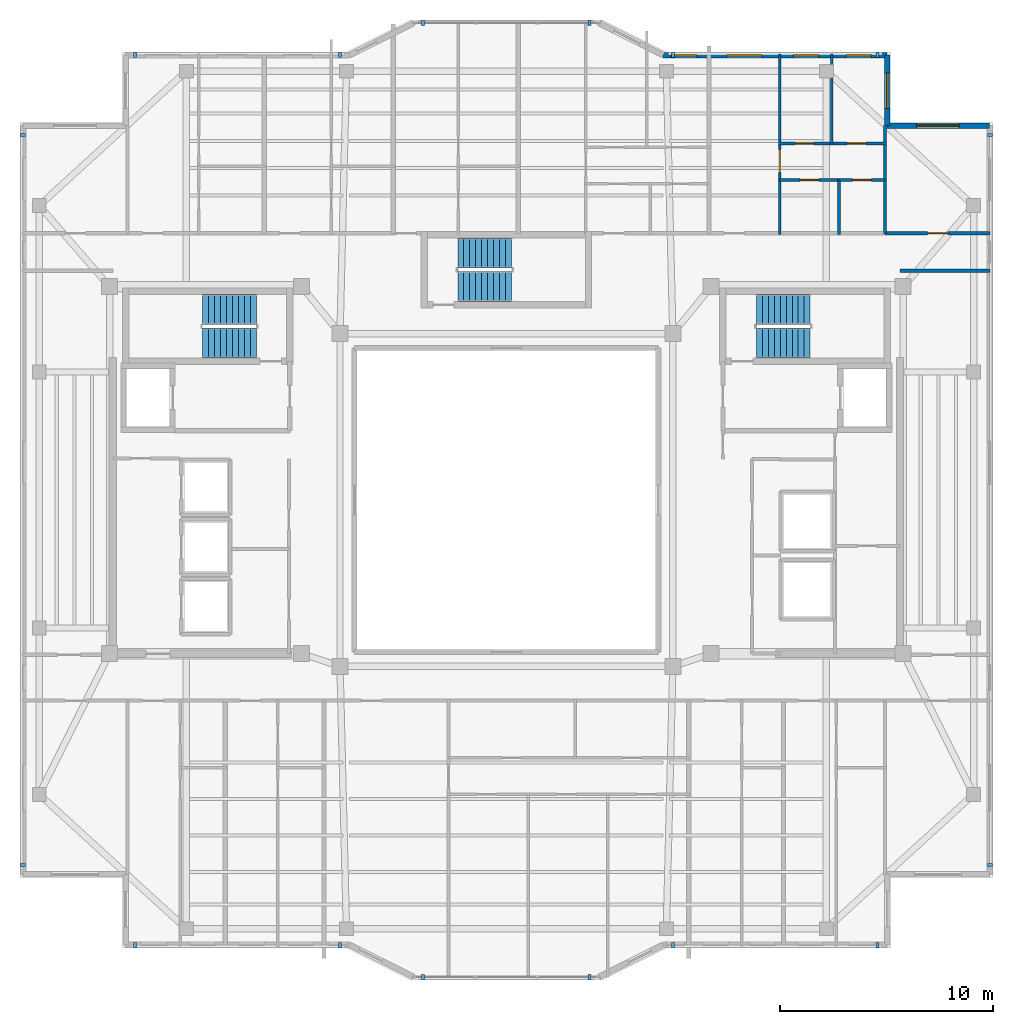
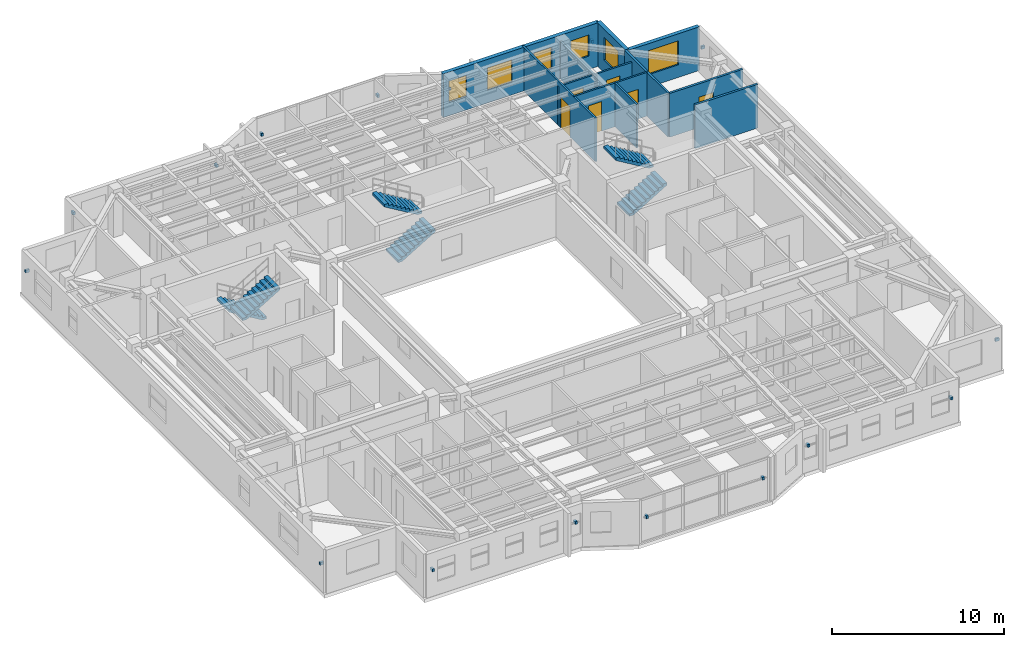
# One storey, part 11 of 14: 16 discrete accessories, 12 walls, 6 doors, 6 stair flights, 6 windows, 12 openings, 3 elements without a shape of their own.
"""IFC4 building model written with IfcOpenShell, lengths in metres."""

from ifc_helpers import new_model, si_unit, direction, frame, frame_2d, origin, origin_2d, place, context, subcontext, project, spatial, polyline, rectangle, outline, extrude, material, layer, layer_set, type_object, element, fill, aggregate, save


model = new_model("IFC4")

# Units and contexts
model_context = context("Model", 3, precision=1e-05, world=origin(), true_north=direction((0.0, 1.0)))
body_context = subcontext(model_context, "Body", "Model", "MODEL_VIEW")
ifc_project = project(units=[si_unit("LENGTHUNIT", "METRE"), si_unit("AREAUNIT", "SQUARE_METRE"), si_unit("VOLUMEUNIT", "CUBIC_METRE"), si_unit("PLANEANGLEUNIT", "RADIAN"), si_unit("MASSUNIT", "GRAM", prefix="KILO")], contexts=[model_context])

# Site, building, storey
site_placement = place(None, origin())
site = spatial("IfcSite", under=ifc_project, at=site_placement, CompositionType="ELEMENT")
building_placement = place(site_placement, origin())
building = spatial("IfcBuilding", under=site, at=building_placement, Name="Tarnavaz Court Tower", CompositionType="ELEMENT")
storey_placement = place(building_placement, frame((0.0, 0.0, 261.60009765625)))
storey = spatial("IfcBuildingStorey", under=building, at=storey_placement, Name="L71", CompositionType="ELEMENT", Elevation=261.60009765625)

# Wall, openings, windows
ifc_material_1 = material(Name="Precast Concrete C40/50", Category="concrete")
ifc_layer_1 = layer(ifc_material_1, 0.260009765625)
ifc_layer_set_1 = layer_set([ifc_layer_1], Name="Precast Concrete C40/50")
wall_type_1 = type_object("IfcWallType", Name="WL-EXT-260", PredefinedType="SOLIDWALL", material=ifc_layer_set_1)
wall_1_placement = place(storey_placement, frame((7.35009765625, 20.85009765625, 0.0), z_axis=(0.0, 0.0, 1.0), x_axis=(1.0, 0.0, 0.0)))
wall_1 = element("IfcWall", 1, at=wall_1_placement, inside=storey, type_object=wall_type_1, Name="L71 Exterior Terracotta Facade Wall 09", PredefinedType="SOLIDWALL", context=body_context, shape_type="SweptSolid", body=[
    extrude(rectangle(XDim=10.5, YDim=0.260009765625, at=frame_2d((5.25, 0.0))), origin(), (0.0, 0.0, 1.0), 3.099853515625),
])
opening_1_placement = place(wall_1_placement, frame((0.375, 0.0, 0.949951171875)))
opening_1 = element("IfcOpeningElement", 2, at=opening_1_placement, cuts=wall_1, Name="Opening W05", PredefinedType="OPENING", context=body_context, shape_type="SweptSolid", body=[
    extrude(rectangle(XDim=1.199951171875, YDim=1.5, at=frame_2d((0.60009765625, 0.75))), frame((0.0, 0.139892578125, 0.0), z_axis=(0.0, -1.0, 0.0), x_axis=(1.0, 0.0, 0.0)), (0.0, 0.0, 1.0), 0.280029296875),
])
opening_2_placement = place(wall_1_placement, frame((2.97509765625, 0.0, 0.89990234375)))
opening_2 = element("IfcOpeningElement", 3, at=opening_2_placement, cuts=wall_1, Name="Opening W02", PredefinedType="OPENING", context=body_context, shape_type="SweptSolid", body=[
    extrude(rectangle(XDim=1.64990234375, YDim=1.60009765625, at=frame_2d((0.824951171875, 0.800048828125))), frame((0.0, 0.139892578125, 0.0), z_axis=(0.0, -1.0, 0.0), x_axis=(1.0, 0.0, 0.0)), (0.0, 0.0, 1.0), 0.280029296875),
])
opening_3_placement = place(wall_1_placement, frame((6.10009765625, 0.0, 0.949951171875)))
opening_3 = element("IfcOpeningElement", 4, at=opening_3_placement, cuts=wall_1, Name="Opening W05", PredefinedType="OPENING", context=body_context, shape_type="SweptSolid", body=[
    extrude(rectangle(XDim=1.199951171875, YDim=1.5, at=frame_2d((0.60009765625, 0.75))), frame((0.0, 0.139892578125, 0.0), z_axis=(0.0, -1.0, 0.0), x_axis=(1.0, 0.0, 0.0)), (0.0, 0.0, 1.0), 0.280029296875),
])
opening_4_placement = place(wall_1_placement, frame((8.574951171875, 0.0, 0.949951171875)))
opening_4 = element("IfcOpeningElement", 5, at=opening_4_placement, cuts=wall_1, Name="Opening W05", PredefinedType="OPENING", context=body_context, shape_type="SweptSolid", body=[
    extrude(rectangle(XDim=1.199951171875, YDim=1.5, at=frame_2d((0.60009765625, 0.75))), frame((0.0, 0.139892578125, 0.0), z_axis=(0.0, -1.0, 0.0), x_axis=(1.0, 0.0, 0.0)), (0.0, 0.0, 1.0), 0.280029296875),
])
ifc_material_2 = material(Name="Double-Glazed Solar Low-E Glass", Category="glass")
window_type_1 = type_object("IfcWindowType", Name="WN-APT-1200", PartitioningType="SINGLE_PANEL", PredefinedType="WINDOW", material=ifc_material_2)
window_1_placement = place(opening_1_placement, origin())
window_1 = element("IfcWindow", 6, at=window_1_placement, inside=storey, type_object=window_type_1, Name="L71 Flat 04 Bedroom 2 Window", OverallHeight=1.5, OverallWidth=1.199951171875, PartitioningType="SINGLE_PANEL", PredefinedType="WINDOW", context=body_context, shape_type="SweptSolid", body=[
    extrude(rectangle(XDim=1.199951171875, YDim=1.5, at=frame_2d((0.60009765625, 0.75))), frame((0.0, 0.030029296875, 0.0), z_axis=(0.0, -1.0, 0.0), x_axis=(1.0, 0.0, 0.0)), (0.0, 0.0, 1.0), 0.06005859375),
])
fill(opening_1, window_1)
window_2_placement = place(opening_3_placement, origin())
window_2 = element("IfcWindow", 7, at=window_2_placement, inside=storey, type_object=window_type_1, Name="L71 Flat 05 Principal Bedroom Window", OverallHeight=1.5, OverallWidth=1.199951171875, PartitioningType="SINGLE_PANEL", PredefinedType="WINDOW", context=body_context, shape_type="SweptSolid", body=[
    extrude(rectangle(XDim=1.199951171875, YDim=1.5, at=frame_2d((0.60009765625, 0.75))), frame((0.0, 0.030029296875, 0.0), z_axis=(0.0, -1.0, 0.0), x_axis=(1.0, 0.0, 0.0)), (0.0, 0.0, 1.0), 0.06005859375),
])
fill(opening_3, window_2)
window_3_placement = place(opening_4_placement, origin())
window_3 = element("IfcWindow", 8, at=window_3_placement, inside=storey, type_object=window_type_1, Name="L71 Flat 05 Bedroom 2 Window", OverallHeight=1.5, OverallWidth=1.199951171875, PartitioningType="SINGLE_PANEL", PredefinedType="WINDOW", context=body_context, shape_type="SweptSolid", body=[
    extrude(rectangle(XDim=1.199951171875, YDim=1.5, at=frame_2d((0.60009765625, 0.75))), frame((0.0, 0.030029296875, 0.0), z_axis=(0.0, -1.0, 0.0), x_axis=(1.0, 0.0, 0.0)), (0.0, 0.0, 1.0), 0.06005859375),
])
fill(opening_4, window_3)
window_type_2 = type_object("IfcWindowType", Name="WN-APT-1650", PartitioningType="DOUBLE_PANEL_VERTICAL", PredefinedType="WINDOW", material=ifc_material_2)
window_4_placement = place(opening_2_placement, origin())
window_4 = element("IfcWindow", 9, at=window_4_placement, inside=storey, type_object=window_type_2, Name="L71 Flat 05 Living and Dining Room Window", OverallHeight=1.60009765625, OverallWidth=1.64990234375, PartitioningType="SINGLE_PANEL", PredefinedType="WINDOW", context=body_context, shape_type="SweptSolid", body=[
    extrude(rectangle(XDim=1.64990234375, YDim=1.60009765625, at=frame_2d((0.824951171875, 0.800048828125))), frame((0.0, 0.030029296875, 0.0), z_axis=(0.0, -1.0, 0.0), x_axis=(1.0, 0.0, 0.0)), (0.0, 0.0, 1.0), 0.06005859375),
])
fill(opening_2, window_4)

# Wall, opening, window
wall_2_placement = place(storey_placement, frame((17.85009765625, 20.85009765625, 0.0), z_axis=(0.0, 0.0, 1.0), x_axis=(0.0, -1.0, 0.0)))
wall_2 = element("IfcWall", 10, at=wall_2_placement, inside=storey, type_object=wall_type_1, Name="L71 Exterior Terracotta Facade Wall 10", PredefinedType="SOLIDWALL", context=body_context, shape_type="SweptSolid", body=[
    extrude(rectangle(XDim=3.300048828125, YDim=0.260009765625, at=frame_2d((1.64990234375, 0.0))), origin(), (0.0, 0.0, 1.0), 3.099853515625),
])
opening_5_placement = place(wall_2_placement, frame((0.842529296875, 0.0, 0.89990234375)))
opening_5 = element("IfcOpeningElement", 11, at=opening_5_placement, cuts=wall_2, Name="Opening W02", PredefinedType="OPENING", context=body_context, shape_type="SweptSolid", body=[
    extrude(rectangle(XDim=1.64990234375, YDim=1.60009765625, at=frame_2d((0.824951171875, 0.800048828125))), frame((0.0, 0.139892578125, 0.0), z_axis=(0.0, -1.0, 0.0), x_axis=(1.0, 0.0, 0.0)), (0.0, 0.0, 1.0), 0.280029296875),
])
window_5_placement = place(opening_5_placement, origin())
window_5 = element("IfcWindow", 12, at=window_5_placement, inside=storey, type_object=window_type_2, Name="L71 Flat 05 Bedroom 2 Window", OverallHeight=1.60009765625, OverallWidth=1.64990234375, PartitioningType="SINGLE_PANEL", PredefinedType="WINDOW", context=body_context, shape_type="SweptSolid", body=[
    extrude(rectangle(XDim=1.64990234375, YDim=1.60009765625, at=frame_2d((0.824951171875, 0.800048828125))), frame((0.0, 0.030029296875, 0.0), z_axis=(0.0, -1.0, 0.0), x_axis=(1.0, 0.0, 0.0)), (0.0, 0.0, 1.0), 0.06005859375),
])
fill(opening_5, window_5)

wall_3_placement = place(storey_placement, frame((17.85009765625, 17.550048828125, 0.0), z_axis=(0.0, 0.0, 1.0), x_axis=(1.0, 0.0, 0.0)))
wall_3 = element("IfcWall", 13, at=wall_3_placement, inside=storey, type_object=wall_type_1, Name="L71 Exterior Terracotta Facade Wall 11", PredefinedType="SOLIDWALL", context=body_context, shape_type="SweptSolid", body=[
    extrude(rectangle(XDim=4.7998046875, YDim=0.260009765625, at=frame_2d((2.39990234375, 0.0))), origin(), (0.0, 0.0, 1.0), 3.099853515625),
])
opening_6_placement = place(wall_3_placement, frame((1.374755859375, 0.0, 0.89990234375)))
opening_6 = element("IfcOpeningElement", 14, at=opening_6_placement, cuts=wall_3, Name="Opening W08", PredefinedType="OPENING", context=body_context, shape_type="SweptSolid", body=[
    extrude(rectangle(XDim=2.0, YDim=1.699951171875, at=frame_2d((1.0, 0.85009765625))), frame((0.0, 0.139892578125, 0.0), z_axis=(0.0, -1.0, 0.0), x_axis=(1.0, 0.0, 0.0)), (0.0, 0.0, 1.0), 0.280029296875),
])
window_type_3 = type_object("IfcWindowType", Name="WN-APT-2000", PartitioningType="DOUBLE_PANEL_VERTICAL", PredefinedType="WINDOW", material=ifc_material_2)
window_6_placement = place(opening_6_placement, origin())
window_6 = element("IfcWindow", 15, at=window_6_placement, inside=storey, type_object=window_type_3, Name="L71 North-East Corner Sunroom Study Window", OverallHeight=1.699951171875, OverallWidth=2.0, PartitioningType="SINGLE_PANEL", PredefinedType="WINDOW", context=body_context, shape_type="SweptSolid", body=[
    extrude(rectangle(XDim=2.0, YDim=1.699951171875, at=frame_2d((1.0, 0.85009765625))), frame((0.0, 0.030029296875, 0.0), z_axis=(0.0, -1.0, 0.0), x_axis=(1.0, 0.0, 0.0)), (0.0, 0.0, 1.0), 0.06005859375),
])
fill(opening_6, window_6)

# Wall
ifc_material_3 = material(Name="Gypsum Fire-Board on Acoustic Metal Stud", Category="masonry")
ifc_layer_2 = layer(ifc_material_3, 0.14990234375)
ifc_layer_set_2 = layer_set([ifc_layer_2], Name="Gypsum Fire-Board on Acoustic Metal Stud")
wall_type_2 = type_object("IfcWallType", Name="WL-FIRE-150", PredefinedType="PARTITIONING", material=ifc_layer_set_2)
wall_4_placement = place(storey_placement, frame((18.449951171875, 10.75, 0.0), z_axis=(0.0, 0.0, 1.0), x_axis=(1.0, 0.0, 0.0)))
element("IfcWall", 16, at=wall_4_placement, inside=storey, type_object=wall_type_2, Name="L71 Interior Partition 116", PredefinedType="PARTITIONING", context=body_context, shape_type="SweptSolid", body=[
    extrude(rectangle(XDim=4.22998046875, YDim=0.14990234375, at=frame_2d((2.114990234375, 0.0))), origin(), (0.0, 0.0, 1.0), 3.099853515625),
])

# Wall, opening, door
wall_5_placement = place(storey_placement, frame((17.75, 12.5, 0.0), z_axis=(0.0, 0.0, 1.0), x_axis=(1.0, 0.0, 0.0)))
wall_5 = element("IfcWall", 17, at=wall_5_placement, inside=storey, type_object=wall_type_2, Name="L71 Interior Partition 122", PredefinedType="PARTITIONING", context=body_context, shape_type="SweptSolid", body=[
    extrude(rectangle(XDim=4.929931640625, YDim=0.14990234375, at=frame_2d((2.46484375, 0.0))), origin(), (0.0, 0.0, 1.0), 3.099853515625),
])
opening_7_placement = place(wall_5_placement, frame((1.989990234375, 0.0, 0.0)))
opening_7 = element("IfcOpeningElement", 18, at=opening_7_placement, cuts=wall_5, Name="Opening D13", PredefinedType="OPENING", context=body_context, shape_type="SweptSolid", body=[
    extrude(rectangle(XDim=0.949951171875, YDim=2.14990234375, at=frame_2d((0.47509765625, 1.074951171875))), frame((0.0, 0.0849609375, 0.0), z_axis=(0.0, -1.0, 0.0), x_axis=(1.0, 0.0, 0.0)), (0.0, 0.0, 1.0), 0.169921875),
])
ifc_material_4 = material(Name="Engineered Oak Timber", Category="wood")
door_type_1 = type_object("IfcDoorType", Name="DR-INT-950", OperationType="NOTDEFINED", PredefinedType="DOOR", material=ifc_material_4)
door_1_placement = place(opening_7_placement, origin())
door_1 = element("IfcDoor", 19, at=door_1_placement, inside=storey, type_object=door_type_1, Name="L71 NE Sunroom Door", OperationType="SINGLE_SWING_LEFT", OverallHeight=2.14990234375, OverallWidth=0.949951171875, PredefinedType="DOOR", context=body_context, shape_type="SweptSolid", body=[
    extrude(rectangle(XDim=0.949951171875, YDim=2.14990234375, at=frame_2d((0.47509765625, 1.074951171875))), frame((0.0, 0.02490234375, 0.0), z_axis=(0.0, -1.0, 0.0), x_axis=(1.0, 0.0, 0.0)), (0.0, 0.0, 1.0), 0.050048828125),
])
fill(opening_7, door_1)

ifc_material_5 = material(Name="Moisture-Resistant Gypsum Board Partition", Category="masonry")
ifc_layer_3 = layer(ifc_material_5, 0.1201171875)
ifc_layer_set_3 = layer_set([ifc_layer_3], Name="Moisture-Resistant Gypsum Board Partition")
wall_type_3 = type_object("IfcWallType", Name="WL-PART-120", PredefinedType="PARTITIONING", material=ifc_layer_set_3)
wall_6_placement = place(storey_placement, frame((12.81201171875, 12.43994140625, 0.0), z_axis=(0.0, 0.0, 1.0), x_axis=(0.0, 1.0, 0.0)))
wall_6 = element("IfcWall", 20, at=wall_6_placement, inside=storey, type_object=wall_type_3, Name="L71 Interior Partition 083", PredefinedType="PARTITIONING", context=body_context, shape_type="SweptSolid", body=[
    extrude(rectangle(XDim=8.4599609375, YDim=0.1201171875, at=frame_2d((4.22998046875, 0.0))), origin(), (0.0, 0.0, 1.0), 3.099853515625),
])
opening_8_placement = place(wall_6_placement, frame((2.905029296875, 0.0, 0.0)))
opening_8 = element("IfcOpeningElement", 21, at=opening_8_placement, cuts=wall_6, Name="Opening D12", PredefinedType="OPENING", context=body_context, shape_type="SweptSolid", body=[
    extrude(rectangle(XDim=1.080078125, YDim=2.14990234375, at=frame_2d((0.5400390625, 1.074951171875))), frame((0.0, 0.070068359375, 0.0), z_axis=(0.0, -1.0, 0.0), x_axis=(1.0, 0.0, 0.0)), (0.0, 0.0, 1.0), 0.14013671875),
])
door_type_2 = type_object("IfcDoorType", Name="DR-INT-1100", OperationType="NOTDEFINED", PredefinedType="DOOR", material=ifc_material_4)
door_2_placement = place(opening_8_placement, origin())
door_2 = element("IfcDoor", 22, at=door_2_placement, inside=storey, type_object=door_type_2, Name="L71 Flat 05 Foyer Door", OperationType="SINGLE_SWING_RIGHT", OverallHeight=2.14990234375, OverallWidth=1.080078125, PredefinedType="DOOR", context=body_context, shape_type="SweptSolid", body=[
    extrude(rectangle(XDim=1.080078125, YDim=2.14990234375, at=frame_2d((0.5400390625, 1.074951171875))), frame((0.0, 0.02490234375, 0.0), z_axis=(0.0, -1.0, 0.0), x_axis=(1.0, 0.0, 0.0)), (0.0, 0.0, 1.0), 0.050048828125),
])
fill(opening_8, door_2)

wall_7_placement = place(storey_placement, frame((12.81201171875, 15.0, 0.0), z_axis=(0.0, 0.0, 1.0), x_axis=(1.0, 0.0, 0.0)))
wall_7 = element("IfcWall", 23, at=wall_7_placement, inside=storey, type_object=wall_type_3, Name="L71 Interior Partition 084", PredefinedType="PARTITIONING", context=body_context, shape_type="SweptSolid", body=[
    extrude(rectangle(XDim=2.780029296875, YDim=0.1201171875, at=frame_2d((1.39013671875, 0.0))), origin(), (0.0, 0.0, 1.0), 3.099853515625),
])
opening_9_placement = place(wall_7_placement, frame((0.949951171875, 0.0, 0.0)))
opening_9 = element("IfcOpeningElement", 24, at=opening_9_placement, cuts=wall_7, Name="Opening D14", PredefinedType="OPENING", context=body_context, shape_type="SweptSolid", body=[
    extrude(rectangle(XDim=0.8798828125, YDim=2.10009765625, at=frame_2d((0.43994140625, 1.050048828125))), frame((0.0, 0.070068359375, 0.0), z_axis=(0.0, -1.0, 0.0), x_axis=(1.0, 0.0, 0.0)), (0.0, 0.0, 1.0), 0.14013671875),
])
door_type_3 = type_object("IfcDoorType", Name="DR-INT-900", OperationType="NOTDEFINED", PredefinedType="DOOR", material=ifc_material_4)
door_3_placement = place(opening_9_placement, origin())
door_3 = element("IfcDoor", 25, at=door_3_placement, inside=storey, type_object=door_type_3, Name="L71 Flat 05 Kitchen Door", OperationType="SINGLE_SWING_LEFT", OverallHeight=2.10009765625, OverallWidth=0.8798828125, PredefinedType="DOOR", context=body_context, shape_type="SweptSolid", body=[
    extrude(rectangle(XDim=0.8798828125, YDim=2.10009765625, at=frame_2d((0.43994140625, 1.050048828125))), frame((0.0, 0.02490234375, 0.0), z_axis=(0.0, -1.0, 0.0), x_axis=(1.0, 0.0, 0.0)), (0.0, 0.0, 1.0), 0.050048828125),
])
fill(opening_9, door_3)

wall_8_placement = place(storey_placement, frame((15.592041015625, 15.0, 0.0), z_axis=(0.0, 0.0, 1.0), x_axis=(1.0, 0.0, 0.0)))
wall_8 = element("IfcWall", 26, at=wall_8_placement, inside=storey, type_object=wall_type_3, Name="L71 Interior Partition 085", PredefinedType="PARTITIONING", context=body_context, shape_type="SweptSolid", body=[
    extrude(rectangle(XDim=2.157958984375, YDim=0.1201171875, at=frame_2d((1.0791015625, 0.0))), origin(), (0.0, 0.0, 1.0), 3.099853515625),
])
opening_10_placement = place(wall_8_placement, frame((0.638916015625, 0.0, 0.0)))
opening_10 = element("IfcOpeningElement", 27, at=opening_10_placement, cuts=wall_8, Name="Opening D14", PredefinedType="OPENING", context=body_context, shape_type="SweptSolid", body=[
    extrude(rectangle(XDim=0.8798828125, YDim=2.10009765625, at=frame_2d((0.43994140625, 1.050048828125))), frame((0.0, 0.070068359375, 0.0), z_axis=(0.0, -1.0, 0.0), x_axis=(1.0, 0.0, 0.0)), (0.0, 0.0, 1.0), 0.14013671875),
])
door_4_placement = place(opening_10_placement, origin())
door_4 = element("IfcDoor", 28, at=door_4_placement, inside=storey, type_object=door_type_3, Name="L71 Flat 05 Bathroom Door", OperationType="SINGLE_SWING_RIGHT", OverallHeight=2.10009765625, OverallWidth=0.8798828125, PredefinedType="DOOR", context=body_context, shape_type="SweptSolid", body=[
    extrude(rectangle(XDim=0.8798828125, YDim=2.10009765625, at=frame_2d((0.43994140625, 1.050048828125))), frame((0.0, 0.02490234375, 0.0), z_axis=(0.0, -1.0, 0.0), x_axis=(1.0, 0.0, 0.0)), (0.0, 0.0, 1.0), 0.050048828125),
])
fill(opening_10, door_4)

# Wall, openings, doors
wall_9_placement = place(storey_placement, frame((12.751953125, 16.7099609375, 0.0), z_axis=(0.0, 0.0, 1.0), x_axis=(1.0, 0.0, 0.0)))
wall_9 = element("IfcWall", 29, at=wall_9_placement, inside=storey, type_object=wall_type_3, Name="L71 Interior Partition 086", PredefinedType="PARTITIONING", context=body_context, shape_type="SweptSolid", body=[
    extrude(rectangle(XDim=5.05810546875, YDim=0.1201171875, at=frame_2d((2.529052734375, 0.0))), origin(), (0.0, 0.0, 1.0), 2.784912109375),
])
opening_11_placement = place(wall_9_placement, frame((0.780029296875, 0.0, 0.0)))
opening_11 = element("IfcOpeningElement", 30, at=opening_11_placement, cuts=wall_9, Name="Opening D14", PredefinedType="OPENING", context=body_context, shape_type="SweptSolid", body=[
    extrude(rectangle(XDim=0.8798828125, YDim=2.10009765625, at=frame_2d((0.43994140625, 1.050048828125))), frame((0.0, 0.070068359375, 0.0), z_axis=(0.0, -1.0, 0.0), x_axis=(1.0, 0.0, 0.0)), (0.0, 0.0, 1.0), 0.14013671875),
])
opening_12_placement = place(wall_9_placement, frame((3.218994140625, 0.0, 0.0)))
opening_12 = element("IfcOpeningElement", 31, at=opening_12_placement, cuts=wall_9, Name="Opening D14", PredefinedType="OPENING", context=body_context, shape_type="SweptSolid", body=[
    extrude(rectangle(XDim=0.8798828125, YDim=2.10009765625, at=frame_2d((0.43994140625, 1.050048828125))), frame((0.0, 0.070068359375, 0.0), z_axis=(0.0, -1.0, 0.0), x_axis=(1.0, 0.0, 0.0)), (0.0, 0.0, 1.0), 0.14013671875),
])
door_5_placement = place(opening_11_placement, origin())
door_5 = element("IfcDoor", 32, at=door_5_placement, inside=storey, type_object=door_type_3, Name="L71 Flat 05 Bedroom 1 Door", OperationType="SINGLE_SWING_LEFT", OverallHeight=2.10009765625, OverallWidth=0.8798828125, PredefinedType="DOOR", context=body_context, shape_type="SweptSolid", body=[
    extrude(rectangle(XDim=0.8798828125, YDim=2.10009765625, at=frame_2d((0.43994140625, 1.050048828125))), frame((0.0, 0.02490234375, 0.0), z_axis=(0.0, -1.0, 0.0), x_axis=(1.0, 0.0, 0.0)), (0.0, 0.0, 1.0), 0.050048828125),
])
fill(opening_11, door_5)
door_6_placement = place(opening_12_placement, origin())
door_6 = element("IfcDoor", 33, at=door_6_placement, inside=storey, type_object=door_type_3, Name="L71 Flat 05 Bedroom 2 Door", OperationType="SINGLE_SWING_RIGHT", OverallHeight=2.10009765625, OverallWidth=0.8798828125, PredefinedType="DOOR", context=body_context, shape_type="SweptSolid", body=[
    extrude(rectangle(XDim=0.8798828125, YDim=2.10009765625, at=frame_2d((0.43994140625, 1.050048828125))), frame((0.0, 0.02490234375, 0.0), z_axis=(0.0, -1.0, 0.0), x_axis=(1.0, 0.0, 0.0)), (0.0, 0.0, 1.0), 0.050048828125),
])
fill(opening_12, door_6)

# Walls
wall_10_placement = place(storey_placement, frame((15.592041015625, 12.43994140625, 0.0), z_axis=(0.0, 0.0, 1.0), x_axis=(0.0, 1.0, 0.0)))
element("IfcWall", 34, at=wall_10_placement, inside=storey, type_object=wall_type_3, Name="L71 Interior Partition 087", PredefinedType="PARTITIONING", context=body_context, shape_type="SweptSolid", body=[
    extrude(rectangle(XDim=2.6201171875, YDim=0.1201171875, at=frame_2d((1.31005859375, 0.0))), origin(), (0.0, 0.0, 1.0), 3.099853515625),
])
wall_11_placement = place(storey_placement, frame((15.2509765625, 16.64990234375, 0.0), z_axis=(0.0, 0.0, 1.0), x_axis=(0.0, 1.0, 0.0)))
element("IfcWall", 35, at=wall_11_placement, inside=storey, type_object=wall_type_3, Name="L71 Interior Partition 088", PredefinedType="PARTITIONING", context=body_context, shape_type="SweptSolid", body=[
    extrude(rectangle(XDim=4.25, YDim=0.1201171875, at=frame_2d((2.125, 0.0))), origin(), (0.0, 0.0, 1.0), 2.684814453125),
])
ifc_material_6 = material(Name="Gypsum Plasterboard Acoustic Partition", Category="masonry")
ifc_layer_4 = layer(ifc_material_6, 0.139892578125)
ifc_layer_set_4 = layer_set([ifc_layer_4], Name="Gypsum Plasterboard Acoustic Partition")
wall_type_4 = type_object("IfcWallType", Name="WL-PART-150", PredefinedType="PARTITIONING", material=ifc_layer_set_4)
wall_12_placement = place(storey_placement, frame((17.75, 12.5, 0.0), z_axis=(0.0, 0.0, 1.0), x_axis=(0.0, 1.0, 0.0)))
element("IfcWall", 36, at=wall_12_placement, inside=storey, type_object=wall_type_4, Name="L71 Interior Partition 120", PredefinedType="PARTITIONING", context=body_context, shape_type="SweptSolid", body=[
    extrude(rectangle(XDim=5.050048828125, YDim=0.139892578125, at=frame_2d((2.52490234375, 0.0))), origin(), (0.0, 0.0, 1.0), 3.099853515625),
])

# Stair, stair flights
ifc_material_7 = material(Name="Concrete C40/50", Category="concrete")
stair_type = type_object("IfcStairType", Name="ST-TWR-20R", PredefinedType="HALF_TURN_STAIR", material=ifc_material_7)
stair_1_placement = place(storey_placement, origin())
stair_1 = element("IfcStair", 37, at=stair_1_placement, inside=storey, type_object=stair_type, Name="L71 West Core Pressurized Exit Stair ST-W1", PredefinedType="HALF_TURN_STAIR")
stair_flight_type = type_object("IfcStairFlightType", Name="SFL-RC-20R", PredefinedType="STRAIGHT", material=ifc_material_7)
stair_flight_1_placement = place(storey_placement, frame((-11.719970703125, 8.929931640625, 0.0), z_axis=(0.0, 0.0, 1.0), x_axis=(-1.0, 0.0, 0.0)))
stair_flight_1 = element("IfcStairFlight", 38, at=stair_flight_1_placement, type_object=stair_flight_type, Name="ST-W1 flight 1", NumberOfRisers=10, NumberOfTreads=9, PredefinedType="STRAIGHT", RiserHeight=0.1675, TreadLength=0.28, context=body_context, shape_type="SweptSolid", body=[
    extrude(outline(polyline([(0.0, 0.0), (0.0, 0.16748046875), (0.280029296875, 0.16748046875), (0.280029296875, 0.3349609375), (0.56005859375, 0.3349609375), (0.56005859375, 0.50244140625), (0.840087890625, 0.50244140625), (0.840087890625, 0.669921875), (1.1201171875, 0.669921875), (1.1201171875, 0.83740234375), (1.39990234375, 0.83740234375), (1.39990234375, 1.0048828125), (1.679931640625, 1.0048828125), (1.679931640625, 1.172607421875), (1.9599609375, 1.172607421875), (1.9599609375, 1.340087890625), (2.239990234375, 1.340087890625), (2.239990234375, 1.507568359375), (2.52001953125, 1.507568359375), (2.52001953125, 1.675048828125), (2.52001953125, 1.332763671875), (0.2919921875, 0.0), (0.0, 0.0)])), frame((0.0, 0.7099609375, 0.0), z_axis=(0.0, -1.0, 0.0), x_axis=(1.0, 0.0, 0.0)), (0.0, 0.0, 1.0), 1.419921875),
])
stair_flight_2_placement = place(storey_placement, frame((-14.239990234375, 7.360107421875, 1.6748046875), z_axis=(0.0, 0.0, 1.0), x_axis=(1.0, 0.0, 0.0)))
stair_flight_2 = element("IfcStairFlight", 39, at=stair_flight_2_placement, type_object=stair_flight_type, Name="ST-W1 flight 2", NumberOfRisers=10, NumberOfTreads=9, PredefinedType="STRAIGHT", RiserHeight=0.1675, TreadLength=0.28, context=body_context, shape_type="SweptSolid", body=[
    extrude(outline(polyline([(0.0, 0.0), (0.0, 0.16748046875), (0.280029296875, 0.16748046875), (0.280029296875, 0.3349609375), (0.56005859375, 0.3349609375), (0.56005859375, 0.50244140625), (0.840087890625, 0.50244140625), (0.840087890625, 0.669921875), (1.1201171875, 0.669921875), (1.1201171875, 0.83740234375), (1.39990234375, 0.83740234375), (1.39990234375, 1.0048828125), (1.679931640625, 1.0048828125), (1.679931640625, 1.172607421875), (1.9599609375, 1.172607421875), (1.9599609375, 1.340087890625), (2.239990234375, 1.340087890625), (2.239990234375, 1.507568359375), (2.52001953125, 1.507568359375), (2.52001953125, 1.675048828125), (2.52001953125, 1.332763671875), (0.2919921875, 0.0), (0.0, 0.0)])), frame((0.0, 0.7099609375, 0.0), z_axis=(0.0, -1.0, 0.0), x_axis=(1.0, 0.0, 0.0)), (0.0, 0.0, 1.0), 1.419921875),
])
aggregate(stair_1, [stair_flight_1, stair_flight_2])

stair_2_placement = place(storey_placement, origin())
stair_2 = element("IfcStair", 40, at=stair_2_placement, inside=storey, type_object=stair_type, Name="L71 East Core Pressurized Exit Stair ST-E1", PredefinedType="HALF_TURN_STAIR")
stair_flight_3_placement = place(storey_placement, frame((11.719970703125, 7.360107421875, 0.0), z_axis=(0.0, 0.0, 1.0), x_axis=(1.0, 0.0, 0.0)))
stair_flight_3 = element("IfcStairFlight", 41, at=stair_flight_3_placement, type_object=stair_flight_type, Name="ST-E1 flight 1", NumberOfRisers=10, NumberOfTreads=9, PredefinedType="STRAIGHT", RiserHeight=0.1675, TreadLength=0.28, context=body_context, shape_type="SweptSolid", body=[
    extrude(outline(polyline([(0.0, 0.0), (0.0, 0.16748046875), (0.280029296875, 0.16748046875), (0.280029296875, 0.3349609375), (0.56005859375, 0.3349609375), (0.56005859375, 0.50244140625), (0.840087890625, 0.50244140625), (0.840087890625, 0.669921875), (1.1201171875, 0.669921875), (1.1201171875, 0.83740234375), (1.39990234375, 0.83740234375), (1.39990234375, 1.0048828125), (1.679931640625, 1.0048828125), (1.679931640625, 1.172607421875), (1.9599609375, 1.172607421875), (1.9599609375, 1.340087890625), (2.239990234375, 1.340087890625), (2.239990234375, 1.507568359375), (2.52001953125, 1.507568359375), (2.52001953125, 1.675048828125), (2.52001953125, 1.332763671875), (0.2919921875, 0.0), (0.0, 0.0)])), frame((0.0, 0.7099609375, 0.0), z_axis=(0.0, -1.0, 0.0), x_axis=(1.0, 0.0, 0.0)), (0.0, 0.0, 1.0), 1.419921875),
])
stair_flight_4_placement = place(storey_placement, frame((14.239990234375, 8.929931640625, 1.6748046875), z_axis=(0.0, 0.0, 1.0), x_axis=(-1.0, 0.0, 0.0)))
stair_flight_4 = element("IfcStairFlight", 42, at=stair_flight_4_placement, type_object=stair_flight_type, Name="ST-E1 flight 2", NumberOfRisers=10, NumberOfTreads=9, PredefinedType="STRAIGHT", RiserHeight=0.1675, TreadLength=0.28, context=body_context, shape_type="SweptSolid", body=[
    extrude(outline(polyline([(0.0, 0.0), (0.0, 0.16748046875), (0.280029296875, 0.16748046875), (0.280029296875, 0.3349609375), (0.56005859375, 0.3349609375), (0.56005859375, 0.50244140625), (0.840087890625, 0.50244140625), (0.840087890625, 0.669921875), (1.1201171875, 0.669921875), (1.1201171875, 0.83740234375), (1.39990234375, 0.83740234375), (1.39990234375, 1.0048828125), (1.679931640625, 1.0048828125), (1.679931640625, 1.172607421875), (1.9599609375, 1.172607421875), (1.9599609375, 1.340087890625), (2.239990234375, 1.340087890625), (2.239990234375, 1.507568359375), (2.52001953125, 1.507568359375), (2.52001953125, 1.675048828125), (2.52001953125, 1.332763671875), (0.2919921875, 0.0), (0.0, 0.0)])), frame((0.0, 0.7099609375, 0.0), z_axis=(0.0, -1.0, 0.0), x_axis=(1.0, 0.0, 0.0)), (0.0, 0.0, 1.0), 1.419921875),
])
aggregate(stair_2, [stair_flight_3, stair_flight_4])

stair_3_placement = place(storey_placement, origin())
stair_3 = element("IfcStair", 43, at=stair_3_placement, inside=storey, type_object=stair_type, Name="L71 North Ring Pressurized Exit Stair ST-N1", PredefinedType="HALF_TURN_STAIR")
stair_flight_5_placement = place(storey_placement, frame((-2.280029296875, 10.010009765625, 0.0), z_axis=(0.0, 0.0, 1.0), x_axis=(1.0, 0.0, 0.0)))
stair_flight_5 = element("IfcStairFlight", 44, at=stair_flight_5_placement, type_object=stair_flight_type, Name="ST-N1 flight 1", NumberOfRisers=10, NumberOfTreads=9, PredefinedType="STRAIGHT", RiserHeight=0.1675, TreadLength=0.28, context=body_context, shape_type="SweptSolid", body=[
    extrude(outline(polyline([(0.0, 0.0), (0.0, 0.16748046875), (0.280029296875, 0.16748046875), (0.280029296875, 0.3349609375), (0.56005859375, 0.3349609375), (0.56005859375, 0.50244140625), (0.840087890625, 0.50244140625), (0.840087890625, 0.669921875), (1.1201171875, 0.669921875), (1.1201171875, 0.83740234375), (1.39990234375, 0.83740234375), (1.39990234375, 1.0048828125), (1.679931640625, 1.0048828125), (1.679931640625, 1.172607421875), (1.9599609375, 1.172607421875), (1.9599609375, 1.340087890625), (2.239990234375, 1.340087890625), (2.239990234375, 1.507568359375), (2.52001953125, 1.507568359375), (2.52001953125, 1.675048828125), (2.52001953125, 1.332763671875), (0.2919921875, 0.0), (0.0, 0.0)])), frame((0.0, 0.7099609375, 0.0), z_axis=(0.0, -1.0, 0.0), x_axis=(1.0, 0.0, 0.0)), (0.0, 0.0, 1.0), 1.419921875),
])
stair_flight_6_placement = place(storey_placement, frame((0.239990234375, 11.580078125, 1.6748046875), z_axis=(0.0, 0.0, 1.0), x_axis=(-1.0, 0.0, 0.0)))
stair_flight_6 = element("IfcStairFlight", 45, at=stair_flight_6_placement, type_object=stair_flight_type, Name="ST-N1 flight 2", NumberOfRisers=10, NumberOfTreads=9, PredefinedType="STRAIGHT", RiserHeight=0.1675, TreadLength=0.28, context=body_context, shape_type="SweptSolid", body=[
    extrude(outline(polyline([(0.0, 0.0), (0.0, 0.16748046875), (0.280029296875, 0.16748046875), (0.280029296875, 0.3349609375), (0.56005859375, 0.3349609375), (0.56005859375, 0.50244140625), (0.840087890625, 0.50244140625), (0.840087890625, 0.669921875), (1.1201171875, 0.669921875), (1.1201171875, 0.83740234375), (1.39990234375, 0.83740234375), (1.39990234375, 1.0048828125), (1.679931640625, 1.0048828125), (1.679931640625, 1.172607421875), (1.9599609375, 1.172607421875), (1.9599609375, 1.340087890625), (2.239990234375, 1.340087890625), (2.239990234375, 1.507568359375), (2.52001953125, 1.507568359375), (2.52001953125, 1.675048828125), (2.52001953125, 1.332763671875), (0.2919921875, 0.0), (0.0, 0.0)])), frame((0.0, 0.7099609375, 0.0), z_axis=(0.0, -1.0, 0.0), x_axis=(1.0, 0.0, 0.0)), (0.0, 0.0, 1.0), 1.419921875),
])
aggregate(stair_3, [stair_flight_5, stair_flight_6])

# Discrete accessories
ifc_material_8 = material(Name="Anodised Aluminium 6063-T6", Category="aluminium")
discrete_accessory_type = type_object("IfcDiscreteAccessoryType", Name="DA-BRKT-ALU", PredefinedType="BRACKET", material=ifc_material_8)
for number, where, z_axis, x_axis, name in (
    (46, (-22.669921875, -17.10009765625, 1.75), (0.0, 0.0, 1.0), (0.0, 1.0, 0.0), "L71 Baguette Outrigger Bracket FBG02-1"),
    (47, (-22.669921875, 17.10009765625, 1.75), (0.0, 0.0, 1.0), (0.0, 1.0, 0.0), "L71 Baguette Outrigger Bracket FBG02-2"),
    (48, (-17.39990234375, 20.8701171875, 1.75), (0.0, 0.0, 1.0), (1.0, 0.0, 0.0), "L71 Baguette Outrigger Bracket FBG05-1"),
    (49, (-7.800048828125, 20.8701171875, 1.75), (0.0, 0.0, 1.0), (1.0, 0.0, 0.0), "L71 Baguette Outrigger Bracket FBG05-2"),
    (50, (-3.89990234375, 22.3701171875, 1.69970703125), (0.0, 0.0, 1.0), (1.0, 0.0, 0.0), "L71 Baguette Outrigger Bracket PBG7-1"),
    (51, (3.89990234375, 22.3701171875, 1.69970703125), (0.0, 0.0, 1.0), (1.0, 0.0, 0.0), "L71 Baguette Outrigger Bracket PBG7-2"),
    (52, (7.800048828125, 20.8701171875, 1.75), (0.0, 0.0, 1.0), (1.0, 0.0, 0.0), "L71 Baguette Outrigger Bracket FBG09-1"),
    (53, (17.39990234375, 20.8701171875, 1.75), (0.0, 0.0, 1.0), (1.0, 0.0, 0.0), "L71 Baguette Outrigger Bracket FBG09-2"),
    (54, (22.669921875, 17.10009765625, 1.75), (0.0, 0.0, 1.0), (0.0, -1.0, 0.0), "L71 Baguette Outrigger Bracket FBG12-1"),
    (55, (22.669921875, -17.10009765625, 1.75), (0.0, 0.0, 1.0), (0.0, -1.0, 0.0), "L71 Baguette Outrigger Bracket FBG12-2"),
    (56, (17.39990234375, -20.8701171875, 1.75), (0.0, 0.0, 1.0), (-1.0, 0.0, 0.0), "L71 Baguette Outrigger Bracket FBG15-1"),
    (57, (7.800048828125, -20.8701171875, 1.75), (0.0, 0.0, 1.0), (-1.0, 0.0, 0.0), "L71 Baguette Outrigger Bracket FBG15-2"),
    (58, (3.89990234375, -22.3701171875, 1.69970703125), (0.0, 0.0, 1.0), (-1.0, 0.0, 0.0), "L71 Baguette Outrigger Bracket PBG17-1"),
    (59, (-3.89990234375, -22.3701171875, 1.69970703125), (0.0, 0.0, 1.0), (-1.0, 0.0, 0.0), "L71 Baguette Outrigger Bracket PBG17-2"),
    (60, (-7.800048828125, -20.8701171875, 1.75), (0.0, 0.0, 1.0), (-1.0, 0.0, 0.0), "L71 Baguette Outrigger Bracket FBG19-1"),
    (61, (-17.39990234375, -20.8701171875, 1.75), (0.0, 0.0, 1.0), (-1.0, 0.0, 0.0), "L71 Baguette Outrigger Bracket FBG19-2"),
):
    element("IfcDiscreteAccessory", number, at=place(storey_placement, frame(where, z_axis=z_axis, x_axis=x_axis)), inside=storey, type_object=discrete_accessory_type, Name=name, PredefinedType="BRACKET", context=body_context, shape_type="SweptSolid", body=[
        extrude(rectangle(XDim=0.139892578125, YDim=0.239990234375, at=origin_2d()), origin(), (0.0, 0.0, 1.0), 0.199951171875),
    ])

save(model, "model.ifc")
